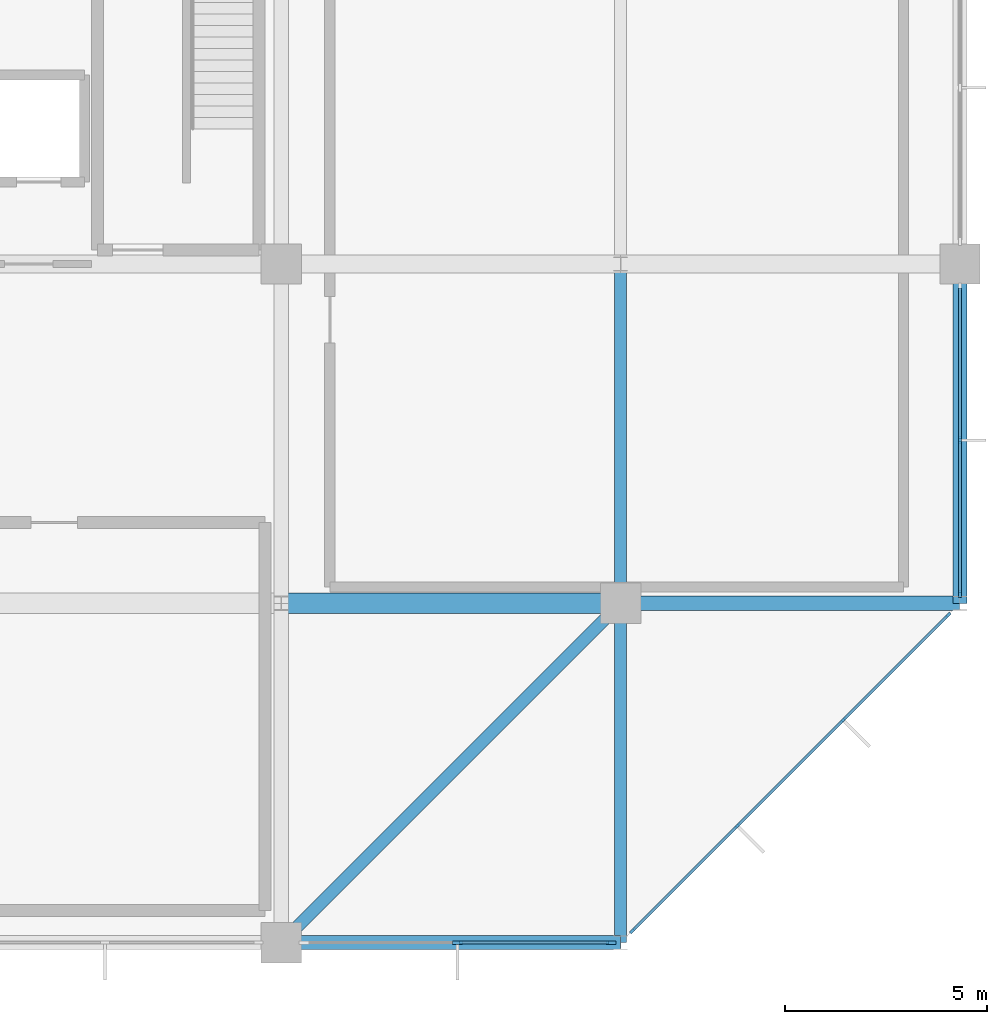
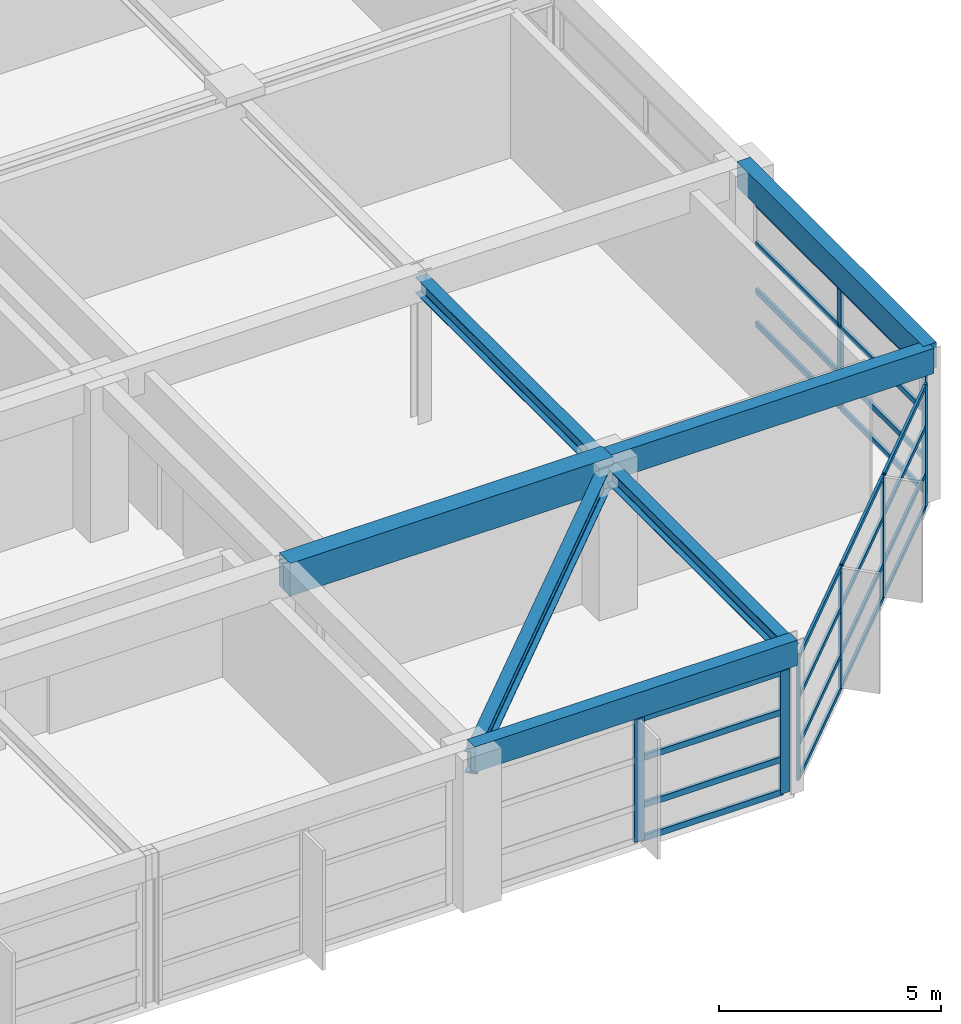
# One storey, part 20 of 32: 32 members, 7 beams, 3 elements without a shape of their own.
"""IFC4 building model written with IfcOpenShell, lengths in metres."""

from ifc_helpers import new_model, si_unit, direction, frame, origin, origin_2d, place, context, subcontext, project, spatial, rectangle, i_section, extrude, material, material_profile, profile_set, type_object, element, aggregate, save


model = new_model("IFC4")

# Units and contexts
model_context = context("Model", 3, precision=1e-05, world=origin(), true_north=direction((0.0, 1.0)))
body_context = subcontext(model_context, "Body", "Model", "MODEL_VIEW")
ifc_project = project(units=[si_unit("LENGTHUNIT", "METRE"), si_unit("AREAUNIT", "SQUARE_METRE"), si_unit("VOLUMEUNIT", "CUBIC_METRE"), si_unit("PLANEANGLEUNIT", "RADIAN"), si_unit("MASSUNIT", "GRAM", prefix="KILO")], contexts=[model_context])

# Site, building, storey
site_placement = place(None, origin())
site = spatial("IfcSite", under=ifc_project, at=site_placement, CompositionType="ELEMENT")
building_placement = place(site_placement, origin())
building = spatial("IfcBuilding", under=site, at=building_placement, Name="Xuanlan Plaza Opera House", CompositionType="ELEMENT")
storey_placement = place(building_placement, frame((0.0, 0.0, 40.5)))
storey = spatial("IfcBuildingStorey", under=building, at=storey_placement, Name="L09", CompositionType="ELEMENT", Elevation=40.5)

# Curtain wall, members
ifc_material_1 = material(Name="Anodised Aluminium 6063-T6 and Low-E Glass", Category="aluminium")
curtain_wall_type_1 = type_object("IfcCurtainWallType", Name="ENV-CW-CW-04", PredefinedType="USERDEFINED", material=ifc_material_1)
curtain_wall_1_placement = place(storey_placement, origin())
curtain_wall_1 = element("IfcCurtainWall", 1, at=curtain_wall_1_placement, inside=storey, type_object=curtain_wall_type_1, Name="Unitised Curtain Wall L09-005", ObjectType="UNITISED CURTAIN WALL", PredefinedType="USERDEFINED")
ifc_material_2 = material(Name="Anodised Aluminium 6063-T6", Category="aluminium")
ifc_material_profile_1 = material_profile(ifc_material_2, rectangle(XDim=0.06494140625, YDim=0.159912109375, at=origin_2d()), Name="ALU-M 65x160")
ifc_profile_set_1 = profile_set([ifc_material_profile_1], Name="Anodised Aluminium 6063-T6")
member_type_1 = type_object("IfcMemberType", Name="ENV-CWM-01", PredefinedType="MULLION", material=ifc_profile_set_1)
member_1_placement = place(storey_placement, frame((159.89697265625, 33.89697265625, 0.0), z_axis=(0.0, 0.0, 1.0), x_axis=(-0.707106781187, 0.707106781187, 0.0)))
member_1 = element("IfcMember", 2, at=member_1_placement, type_object=member_type_1, Name="CW-04 mullion 1", PredefinedType="MULLION", context=body_context, shape_type="SweptSolid", body=[
    extrude(rectangle(XDim=0.06494140625, YDim=0.159912109375, at=origin_2d()), origin(), (0.0, 0.0, 1.0), 3.3798828125),
])
member_2_placement = place(storey_placement, frame((162.491455078125, 36.491455078125, 0.0), z_axis=(0.0, 0.0, 1.0), x_axis=(-0.707106781187, 0.707106781187, 0.0)))
member_2 = element("IfcMember", 3, at=member_2_placement, type_object=member_type_1, Name="CW-04 mullion 2", PredefinedType="MULLION", context=body_context, shape_type="SweptSolid", body=[
    extrude(rectangle(XDim=0.06494140625, YDim=0.159912109375, at=origin_2d()), origin(), (0.0, 0.0, 1.0), 3.3798828125),
])
member_3_placement = place(storey_placement, frame((165.108642578125, 39.108642578125, 0.0), z_axis=(0.0, 0.0, 1.0), x_axis=(-0.707106781187, 0.707106781187, 0.0)))
member_3 = element("IfcMember", 4, at=member_3_placement, type_object=member_type_1, Name="CW-04 mullion 3", PredefinedType="MULLION", context=body_context, shape_type="SweptSolid", body=[
    extrude(rectangle(XDim=0.06494140625, YDim=0.159912109375, at=origin_2d()), origin(), (0.0, 0.0, 1.0), 3.3798828125),
])
member_4_placement = place(storey_placement, frame((167.703125, 41.703125, 0.0), z_axis=(0.0, 0.0, 1.0), x_axis=(-0.707106781187, 0.707106781187, 0.0)))
member_4 = element("IfcMember", 5, at=member_4_placement, type_object=member_type_1, Name="CW-04 mullion 4", PredefinedType="MULLION", context=body_context, shape_type="SweptSolid", body=[
    extrude(rectangle(XDim=0.06494140625, YDim=0.159912109375, at=origin_2d()), origin(), (0.0, 0.0, 1.0), 3.3798828125),
])

curtain_wall_type_2 = type_object("IfcCurtainWallType", Name="ENV-CW-CW-01", PredefinedType="USERDEFINED", material=ifc_material_1)
curtain_wall_2_placement = place(storey_placement, origin())
curtain_wall_2 = element("IfcCurtainWall", 6, at=curtain_wall_2_placement, inside=storey, type_object=curtain_wall_type_2, Name="Unitised Curtain Wall L09-006", ObjectType="UNITISED CURTAIN WALL", PredefinedType="USERDEFINED")
ifc_material_profile_2 = material_profile(ifc_material_2, rectangle(XDim=0.070068359375, YDim=0.179931640625, at=origin_2d()), Name="ALU-M 70x180")
ifc_profile_set_2 = profile_set([ifc_material_profile_2], Name="Anodised Aluminium 6063-T6")
member_type_2 = type_object("IfcMemberType", Name="ENV-CWM-02", PredefinedType="MULLION", material=ifc_profile_set_2)
member_5_placement = place(storey_placement, frame((168.0, 42.22998046875, 0.0), z_axis=(0.0, 0.0, 1.0), x_axis=(-1.0, 0.0, 0.0)))
member_5 = element("IfcMember", 7, at=member_5_placement, type_object=member_type_2, Name="CW-01 mullion 1", PredefinedType="MULLION", context=body_context, shape_type="SweptSolid", body=[
    extrude(rectangle(XDim=0.070068359375, YDim=0.179931640625, at=origin_2d()), origin(), (0.0, 0.0, 1.0), 3.3798828125),
])
member_6_placement = place(storey_placement, frame((168.0, 46.03759765625, 0.0), z_axis=(0.0, 0.0, 1.0), x_axis=(-1.0, 0.0, 0.0)))
member_6 = element("IfcMember", 8, at=member_6_placement, type_object=member_type_2, Name="CW-01 mullion 2", PredefinedType="MULLION", context=body_context, shape_type="SweptSolid", body=[
    extrude(rectangle(XDim=0.070068359375, YDim=0.179931640625, at=origin_2d()), origin(), (0.0, 0.0, 1.0), 3.3798828125),
])

curtain_wall_type_3 = type_object("IfcCurtainWallType", Name="ENV-CW-CW-03", PredefinedType="USERDEFINED", material=ifc_material_1)
curtain_wall_3_placement = place(storey_placement, origin())
curtain_wall_3 = element("IfcCurtainWall", 9, at=curtain_wall_3_placement, inside=storey, type_object=curtain_wall_type_3, Name="Unitised Curtain Wall L09-004", ObjectType="UNITISED CURTAIN WALL", PredefinedType="USERDEFINED")
ifc_material_profile_3 = material_profile(ifc_material_2, rectangle(XDim=0.090087890625, YDim=0.25, at=origin_2d()), Name="ALU-M 90x250")
ifc_profile_set_3 = profile_set([ifc_material_profile_3], Name="Anodised Aluminium 6063-T6")
member_type_3 = type_object("IfcMemberType", Name="ENV-CWM-05", PredefinedType="MULLION", material=ifc_profile_set_3)
member_7_placement = place(storey_placement, frame((155.5625, 33.60009765625, 0.0), z_axis=(0.0, 0.0, 1.0), x_axis=(0.0, 1.0, 0.0)))
member_7 = element("IfcMember", 10, at=member_7_placement, type_object=member_type_3, Name="CW-03 mullion 2", PredefinedType="MULLION", context=body_context, shape_type="SweptSolid", body=[
    extrude(rectangle(XDim=0.090087890625, YDim=0.25, at=origin_2d()), origin(), (0.0, 0.0, 1.0), 3.3798828125),
])
member_8_placement = place(storey_placement, frame((159.360107421875, 33.60009765625, 0.0), z_axis=(0.0, 0.0, 1.0), x_axis=(0.0, 1.0, 0.0)))
member_8 = element("IfcMember", 11, at=member_8_placement, type_object=member_type_3, Name="CW-03 mullion 3", PredefinedType="MULLION", context=body_context, shape_type="SweptSolid", body=[
    extrude(rectangle(XDim=0.090087890625, YDim=0.25, at=origin_2d()), origin(), (0.0, 0.0, 1.0), 3.3798828125),
])

# Member
ifc_material_profile_4 = material_profile(ifc_material_2, rectangle(XDim=0.06494140625, YDim=0.1201171875, at=origin_2d()), Name="ALU-T 65x120")
ifc_profile_set_4 = profile_set([ifc_material_profile_4], Name="Anodised Aluminium 6063-T6")
member_type_4 = type_object("IfcMemberType", Name="ENV-CWT-01", PredefinedType="USERDEFINED", material=ifc_profile_set_4)
member_9_placement = place(storey_placement, frame((159.919921875, 33.919921875, 0.032470703125), z_axis=(0.707106781187, 0.707106781187, 0.0), x_axis=(-0.707106781187, 0.707106781187, 0.0)))
member_9 = element("IfcMember", 12, at=member_9_placement, type_object=member_type_4, Name="CW-04 transom 1.1", ObjectType="TRANSOM", PredefinedType="USERDEFINED", context=body_context, shape_type="SweptSolid", body=[
    extrude(rectangle(XDim=0.06494140625, YDim=0.1201171875, at=origin_2d()), origin(), (0.0, 0.0, 1.0), 3.60400390625),
])

member_10_placement = place(storey_placement, frame((159.919921875, 33.919921875, 0.949951171875), z_axis=(0.707106781187, 0.707106781187, 0.0), x_axis=(-0.707106781187, 0.707106781187, 0.0)))
member_10 = element("IfcMember", 13, at=member_10_placement, type_object=member_type_4, Name="CW-04 transom 1.2", ObjectType="TRANSOM", PredefinedType="USERDEFINED", context=body_context, shape_type="SweptSolid", body=[
    extrude(rectangle(XDim=0.06494140625, YDim=0.1201171875, at=origin_2d()), origin(), (0.0, 0.0, 1.0), 3.60400390625),
])

member_11_placement = place(storey_placement, frame((159.919921875, 33.919921875, 2.25), z_axis=(0.707106781187, 0.707106781187, 0.0), x_axis=(-0.707106781187, 0.707106781187, 0.0)))
member_11 = element("IfcMember", 14, at=member_11_placement, type_object=member_type_4, Name="CW-04 transom 1.3", ObjectType="TRANSOM", PredefinedType="USERDEFINED", context=body_context, shape_type="SweptSolid", body=[
    extrude(rectangle(XDim=0.06494140625, YDim=0.1201171875, at=origin_2d()), origin(), (0.0, 0.0, 1.0), 3.60400390625),
])

member_12_placement = place(storey_placement, frame((159.919921875, 33.919921875, 3.347412109375), z_axis=(0.707106781187, 0.707106781187, 0.0), x_axis=(-0.707106781187, 0.707106781187, 0.0)))
member_12 = element("IfcMember", 15, at=member_12_placement, type_object=member_type_4, Name="CW-04 transom 1.4", ObjectType="TRANSOM", PredefinedType="USERDEFINED", context=body_context, shape_type="SweptSolid", body=[
    extrude(rectangle(XDim=0.06494140625, YDim=0.1201171875, at=origin_2d()), origin(), (0.0, 0.0, 1.0), 3.60400390625),
])

member_13_placement = place(storey_placement, frame((162.514404296875, 36.514404296875, 0.032470703125), z_axis=(0.707106781187, 0.707106781187, 0.0), x_axis=(-0.707106781187, 0.707106781187, 0.0)))
member_13 = element("IfcMember", 16, at=member_13_placement, type_object=member_type_4, Name="CW-04 transom 2.1", ObjectType="TRANSOM", PredefinedType="USERDEFINED", context=body_context, shape_type="SweptSolid", body=[
    extrude(rectangle(XDim=0.06494140625, YDim=0.1201171875, at=origin_2d()), origin(), (0.0, 0.0, 1.0), 3.63623046875),
])

member_14_placement = place(storey_placement, frame((162.514404296875, 36.514404296875, 0.949951171875), z_axis=(0.707106781187, 0.707106781187, 0.0), x_axis=(-0.707106781187, 0.707106781187, 0.0)))
member_14 = element("IfcMember", 17, at=member_14_placement, type_object=member_type_4, Name="CW-04 transom 2.2", ObjectType="TRANSOM", PredefinedType="USERDEFINED", context=body_context, shape_type="SweptSolid", body=[
    extrude(rectangle(XDim=0.06494140625, YDim=0.1201171875, at=origin_2d()), origin(), (0.0, 0.0, 1.0), 3.63623046875),
])

member_15_placement = place(storey_placement, frame((162.514404296875, 36.514404296875, 2.25), z_axis=(0.707106781187, 0.707106781187, 0.0), x_axis=(-0.707106781187, 0.707106781187, 0.0)))
member_15 = element("IfcMember", 18, at=member_15_placement, type_object=member_type_4, Name="CW-04 transom 2.3", ObjectType="TRANSOM", PredefinedType="USERDEFINED", context=body_context, shape_type="SweptSolid", body=[
    extrude(rectangle(XDim=0.06494140625, YDim=0.1201171875, at=origin_2d()), origin(), (0.0, 0.0, 1.0), 3.63623046875),
])

member_16_placement = place(storey_placement, frame((162.514404296875, 36.514404296875, 3.347412109375), z_axis=(0.707106781187, 0.707106781187, 0.0), x_axis=(-0.707106781187, 0.707106781187, 0.0)))
member_16 = element("IfcMember", 19, at=member_16_placement, type_object=member_type_4, Name="CW-04 transom 2.4", ObjectType="TRANSOM", PredefinedType="USERDEFINED", context=body_context, shape_type="SweptSolid", body=[
    extrude(rectangle(XDim=0.06494140625, YDim=0.1201171875, at=origin_2d()), origin(), (0.0, 0.0, 1.0), 3.63623046875),
])

member_17_placement = place(storey_placement, frame((165.131591796875, 39.131591796875, 0.032470703125), z_axis=(0.707106781187, 0.707106781187, 0.0), x_axis=(-0.707106781187, 0.707106781187, 0.0)))
member_17 = element("IfcMember", 20, at=member_17_placement, type_object=member_type_4, Name="CW-04 transom 3.1", ObjectType="TRANSOM", PredefinedType="USERDEFINED", context=body_context, shape_type="SweptSolid", body=[
    extrude(rectangle(XDim=0.06494140625, YDim=0.1201171875, at=origin_2d()), origin(), (0.0, 0.0, 1.0), 3.60400390625),
])

member_18_placement = place(storey_placement, frame((165.131591796875, 39.131591796875, 0.949951171875), z_axis=(0.707106781187, 0.707106781187, 0.0), x_axis=(-0.707106781187, 0.707106781187, 0.0)))
member_18 = element("IfcMember", 21, at=member_18_placement, type_object=member_type_4, Name="CW-04 transom 3.2", ObjectType="TRANSOM", PredefinedType="USERDEFINED", context=body_context, shape_type="SweptSolid", body=[
    extrude(rectangle(XDim=0.06494140625, YDim=0.1201171875, at=origin_2d()), origin(), (0.0, 0.0, 1.0), 3.60400390625),
])

member_19_placement = place(storey_placement, frame((165.131591796875, 39.131591796875, 2.25), z_axis=(0.707106781187, 0.707106781187, 0.0), x_axis=(-0.707106781187, 0.707106781187, 0.0)))
member_19 = element("IfcMember", 22, at=member_19_placement, type_object=member_type_4, Name="CW-04 transom 3.3", ObjectType="TRANSOM", PredefinedType="USERDEFINED", context=body_context, shape_type="SweptSolid", body=[
    extrude(rectangle(XDim=0.06494140625, YDim=0.1201171875, at=origin_2d()), origin(), (0.0, 0.0, 1.0), 3.60400390625),
])

member_20_placement = place(storey_placement, frame((165.131591796875, 39.131591796875, 3.347412109375), z_axis=(0.707106781187, 0.707106781187, 0.0), x_axis=(-0.707106781187, 0.707106781187, 0.0)))
member_20 = element("IfcMember", 23, at=member_20_placement, type_object=member_type_4, Name="CW-04 transom 3.4", ObjectType="TRANSOM", PredefinedType="USERDEFINED", context=body_context, shape_type="SweptSolid", body=[
    extrude(rectangle(XDim=0.06494140625, YDim=0.1201171875, at=origin_2d()), origin(), (0.0, 0.0, 1.0), 3.60400390625),
])

aggregate(curtain_wall_1, [member_1, member_2, member_3, member_4, member_9, member_10, member_11, member_12, member_13, member_14, member_15, member_16, member_17, member_18, member_19, member_20])

ifc_material_profile_5 = material_profile(ifc_material_2, rectangle(XDim=0.074951171875, YDim=0.14990234375, at=origin_2d()), Name="ALU-T 75x150")
ifc_profile_set_5 = profile_set([ifc_material_profile_5], Name="Anodised Aluminium 6063-T6")
member_type_5 = type_object("IfcMemberType", Name="ENV-CWT-03", PredefinedType="USERDEFINED", material=ifc_profile_set_5)
member_21_placement = place(storey_placement, frame((168.0, 42.264892578125, 0.03759765625), z_axis=(0.0, 1.0, 0.0), x_axis=(-1.0, 0.0, 0.0)))
member_21 = element("IfcMember", 24, at=member_21_placement, type_object=member_type_5, Name="CW-01 transom 1.1", ObjectType="TRANSOM", PredefinedType="USERDEFINED", context=body_context, shape_type="SweptSolid", body=[
    extrude(rectangle(XDim=0.074951171875, YDim=0.14990234375, at=origin_2d()), origin(), (0.0, 0.0, 1.0), 3.737548828125),
])

member_22_placement = place(storey_placement, frame((168.0, 42.264892578125, 0.949951171875), z_axis=(0.0, 1.0, 0.0), x_axis=(-1.0, 0.0, 0.0)))
member_22 = element("IfcMember", 25, at=member_22_placement, type_object=member_type_5, Name="CW-01 transom 1.2", ObjectType="TRANSOM", PredefinedType="USERDEFINED", context=body_context, shape_type="SweptSolid", body=[
    extrude(rectangle(XDim=0.074951171875, YDim=0.14990234375, at=origin_2d()), origin(), (0.0, 0.0, 1.0), 3.737548828125),
])

member_23_placement = place(storey_placement, frame((168.0, 42.264892578125, 2.25), z_axis=(0.0, 1.0, 0.0), x_axis=(-1.0, 0.0, 0.0)))
member_23 = element("IfcMember", 26, at=member_23_placement, type_object=member_type_5, Name="CW-01 transom 1.3", ObjectType="TRANSOM", PredefinedType="USERDEFINED", context=body_context, shape_type="SweptSolid", body=[
    extrude(rectangle(XDim=0.074951171875, YDim=0.14990234375, at=origin_2d()), origin(), (0.0, 0.0, 1.0), 3.737548828125),
])

member_24_placement = place(storey_placement, frame((168.0, 42.264892578125, 3.342529296875), z_axis=(0.0, 1.0, 0.0), x_axis=(-1.0, 0.0, 0.0)))
member_24 = element("IfcMember", 27, at=member_24_placement, type_object=member_type_5, Name="CW-01 transom 1.4", ObjectType="TRANSOM", PredefinedType="USERDEFINED", context=body_context, shape_type="SweptSolid", body=[
    extrude(rectangle(XDim=0.074951171875, YDim=0.14990234375, at=origin_2d()), origin(), (0.0, 0.0, 1.0), 3.737548828125),
])

member_25_placement = place(storey_placement, frame((168.0, 46.072509765625, 0.03759765625), z_axis=(0.0, 1.0, 0.0), x_axis=(-1.0, 0.0, 0.0)))
member_25 = element("IfcMember", 28, at=member_25_placement, type_object=member_type_5, Name="CW-01 transom 2.1", ObjectType="TRANSOM", PredefinedType="USERDEFINED", context=body_context, shape_type="SweptSolid", body=[
    extrude(rectangle(XDim=0.074951171875, YDim=0.14990234375, at=origin_2d()), origin(), (0.0, 0.0, 1.0), 3.737548828125),
])

member_26_placement = place(storey_placement, frame((168.0, 46.072509765625, 0.949951171875), z_axis=(0.0, 1.0, 0.0), x_axis=(-1.0, 0.0, 0.0)))
member_26 = element("IfcMember", 29, at=member_26_placement, type_object=member_type_5, Name="CW-01 transom 2.2", ObjectType="TRANSOM", PredefinedType="USERDEFINED", context=body_context, shape_type="SweptSolid", body=[
    extrude(rectangle(XDim=0.074951171875, YDim=0.14990234375, at=origin_2d()), origin(), (0.0, 0.0, 1.0), 3.737548828125),
])

member_27_placement = place(storey_placement, frame((168.0, 46.072509765625, 2.25), z_axis=(0.0, 1.0, 0.0), x_axis=(-1.0, 0.0, 0.0)))
member_27 = element("IfcMember", 30, at=member_27_placement, type_object=member_type_5, Name="CW-01 transom 2.3", ObjectType="TRANSOM", PredefinedType="USERDEFINED", context=body_context, shape_type="SweptSolid", body=[
    extrude(rectangle(XDim=0.074951171875, YDim=0.14990234375, at=origin_2d()), origin(), (0.0, 0.0, 1.0), 3.737548828125),
])

member_28_placement = place(storey_placement, frame((168.0, 46.072509765625, 3.342529296875), z_axis=(0.0, 1.0, 0.0), x_axis=(-1.0, 0.0, 0.0)))
member_28 = element("IfcMember", 31, at=member_28_placement, type_object=member_type_5, Name="CW-01 transom 2.4", ObjectType="TRANSOM", PredefinedType="USERDEFINED", context=body_context, shape_type="SweptSolid", body=[
    extrude(rectangle(XDim=0.074951171875, YDim=0.14990234375, at=origin_2d()), origin(), (0.0, 0.0, 1.0), 3.737548828125),
])

aggregate(curtain_wall_2, [member_5, member_6, member_21, member_22, member_23, member_24, member_25, member_26, member_27, member_28])

ifc_material_profile_6 = material_profile(ifc_material_2, rectangle(XDim=0.080078125, YDim=0.1650390625, at=origin_2d()), Name="ALU-T 80x165")
ifc_profile_set_6 = profile_set([ifc_material_profile_6], Name="Anodised Aluminium 6063-T6")
member_type_6 = type_object("IfcMemberType", Name="ENV-CWT-04", PredefinedType="USERDEFINED", material=ifc_profile_set_6)
member_29_placement = place(storey_placement, frame((155.607421875, 33.60009765625, 0.0400390625), z_axis=(1.0, 0.0, 0.0), x_axis=(0.0, 1.0, 0.0)))
member_29 = element("IfcMember", 32, at=member_29_placement, type_object=member_type_6, Name="CW-03 transom 2.1", ObjectType="TRANSOM", PredefinedType="USERDEFINED", context=body_context, shape_type="SweptSolid", body=[
    extrude(rectangle(XDim=0.080078125, YDim=0.1650390625, at=origin_2d()), origin(), (0.0, 0.0, 1.0), 3.70751953125),
])

member_30_placement = place(storey_placement, frame((155.607421875, 33.60009765625, 0.949951171875), z_axis=(1.0, 0.0, 0.0), x_axis=(0.0, 1.0, 0.0)))
member_30 = element("IfcMember", 33, at=member_30_placement, type_object=member_type_6, Name="CW-03 transom 2.2", ObjectType="TRANSOM", PredefinedType="USERDEFINED", context=body_context, shape_type="SweptSolid", body=[
    extrude(rectangle(XDim=0.080078125, YDim=0.1650390625, at=origin_2d()), origin(), (0.0, 0.0, 1.0), 3.70751953125),
])

member_31_placement = place(storey_placement, frame((155.607421875, 33.60009765625, 2.25), z_axis=(1.0, 0.0, 0.0), x_axis=(0.0, 1.0, 0.0)))
member_31 = element("IfcMember", 34, at=member_31_placement, type_object=member_type_6, Name="CW-03 transom 2.3", ObjectType="TRANSOM", PredefinedType="USERDEFINED", context=body_context, shape_type="SweptSolid", body=[
    extrude(rectangle(XDim=0.080078125, YDim=0.1650390625, at=origin_2d()), origin(), (0.0, 0.0, 1.0), 3.70751953125),
])

member_32_placement = place(storey_placement, frame((155.607421875, 33.60009765625, 3.340087890625), z_axis=(1.0, 0.0, 0.0), x_axis=(0.0, 1.0, 0.0)))
member_32 = element("IfcMember", 35, at=member_32_placement, type_object=member_type_6, Name="CW-03 transom 2.4", ObjectType="TRANSOM", PredefinedType="USERDEFINED", context=body_context, shape_type="SweptSolid", body=[
    extrude(rectangle(XDim=0.080078125, YDim=0.1650390625, at=origin_2d()), origin(), (0.0, 0.0, 1.0), 3.70751953125),
])

aggregate(curtain_wall_3, [member_7, member_8, member_29, member_30, member_31, member_32])

# Beams
ifc_material_3 = material(Name="Concrete C40", Category="concrete")
ifc_material_profile_7 = material_profile(ifc_material_3, rectangle(XDim=0.5, YDim=0.89990234375, at=origin_2d()), Name="RC-BM 500x900")
ifc_profile_set_7 = profile_set([ifc_material_profile_7], Name="Concrete C40")
beam_type_1 = type_object("IfcBeamType", Name="STR-BM-B-03", PredefinedType="BEAM", material=ifc_profile_set_7)
beam_1_placement = place(storey_placement, frame((151.199951171875, 42.0, 3.75), z_axis=(1.0, 0.0, 0.0), x_axis=(0.0, 1.0, 0.0)))
element("IfcBeam", 36, at=beam_1_placement, inside=storey, type_object=beam_type_1, Name="Grid Beam X L09 19-20/F", PredefinedType="BEAM", context=body_context, shape_type="SweptSolid", body=[
    extrude(rectangle(XDim=0.5, YDim=0.89990234375, at=origin_2d()), origin(), (0.0, 0.0, 1.0), 8.400146484375),
])
ifc_material_4 = material(Name="Steel Q355B", Category="steel")
ifc_material_profile_8 = material_profile(ifc_material_4, i_section(OverallWidth=0.300048828125, OverallDepth=0.43994140625, WebThickness=0.010986328125, FlangeThickness=0.01806640625, FilletRadius=0.02001953125, at=origin_2d()), Name="HM 440x300x11x18")
ifc_profile_set_8 = profile_set([ifc_material_profile_8], Name="Steel Q355B")
beam_type_2 = type_object("IfcBeamType", Name="STR-BM-SB-08", PredefinedType="BEAM", material=ifc_profile_set_8)
for number, where, z_axis, x_axis, name in (
    (37, (159.60009765625, 33.60009765625, 3.735107421875), (0.0, 1.0, 0.0), (-1.0, 0.0, 0.0), "Grid Beam Y L09 20/E-F"),
    (38, (159.60009765625, 42.0, 3.735107421875), (0.0, 1.0, 0.0), (-1.0, 0.0, 0.0), "Grid Beam Y L09 20/F-G"),
):
    element("IfcBeam", number, at=place(storey_placement, frame(where, z_axis=z_axis, x_axis=x_axis)), inside=storey, type_object=beam_type_2, Name=name, PredefinedType="BEAM", context=body_context, shape_type="SweptSolid", body=[
        extrude(i_section(OverallWidth=0.300048828125, OverallDepth=0.43994140625, WebThickness=0.010986328125, FlangeThickness=0.01806640625, FilletRadius=0.02001953125, at=origin_2d()), origin(), (0.0, 0.0, 1.0), 8.39990234375),
    ])
ifc_material_profile_9 = material_profile(ifc_material_3, rectangle(XDim=0.35009765625, YDim=0.699951171875, at=origin_2d()), Name="RC-SPD 350x700")
ifc_profile_set_9 = profile_set([ifc_material_profile_9], Name="Concrete C40")
beam_type_3 = type_object("IfcBeamType", Name="STR-BM-SP-02", PredefinedType="SPANDREL", material=ifc_profile_set_9)
beam_2_placement = place(storey_placement, frame((151.199951171875, 33.60009765625, 3.85009765625), z_axis=(1.0, 0.0, 0.0), x_axis=(0.0, 1.0, 0.0)))
element("IfcBeam", 39, at=beam_2_placement, inside=storey, type_object=beam_type_3, Name="Grid Beam X L09 19-20/E", PredefinedType="SPANDREL", context=body_context, shape_type="SweptSolid", body=[
    extrude(rectangle(XDim=0.35009765625, YDim=0.699951171875, at=origin_2d()), origin(), (0.0, 0.0, 1.0), 8.400146484375),
])
for number, where, z_axis, x_axis, name in (
    (40, (159.60009765625, 42.0, 3.85009765625), (1.0, 0.0, 0.0), (0.0, 1.0, 0.0), "Grid Beam X L09 20-21/F"),
    (41, (168.0, 42.0, 3.85009765625), (0.0, 1.0, 0.0), (-1.0, 0.0, 0.0), "Grid Beam Y L09 21/F-G"),
):
    element("IfcBeam", number, at=place(storey_placement, frame(where, z_axis=z_axis, x_axis=x_axis)), inside=storey, type_object=beam_type_3, Name=name, PredefinedType="SPANDREL", context=body_context, shape_type="SweptSolid", body=[
        extrude(rectangle(XDim=0.35009765625, YDim=0.699951171875, at=origin_2d()), origin(), (0.0, 0.0, 1.0), 8.39990234375),
    ])
ifc_material_profile_10 = material_profile(ifc_material_4, i_section(OverallWidth=0.300048828125, OverallDepth=0.587890625, WebThickness=0.011962890625, FlangeThickness=0.02001953125, FilletRadius=0.02392578125, at=origin_2d()), Name="HM 588x300x12x20")
ifc_profile_set_10 = profile_set([ifc_material_profile_10], Name="Steel Q355B")
beam_type_4 = type_object("IfcBeamType", Name="STR-BM-SP-03", PredefinedType="SPANDREL", material=ifc_profile_set_10)
beam_3_placement = place(storey_placement, frame((159.60009765625, 42.0, 3.660888671875), z_axis=(-0.707117056885, -0.707096505339, 0.0), x_axis=(0.707096505339, -0.707117056885, 0.0)))
element("IfcBeam", 42, at=beam_3_placement, inside=storey, type_object=beam_type_4, Name="Faceted Edge Spandrel L09 CH02", PredefinedType="SPANDREL", context=body_context, shape_type="SweptSolid", body=[
    extrude(i_section(OverallWidth=0.300048828125, OverallDepth=0.587890625, WebThickness=0.011962890625, FlangeThickness=0.02001953125, FilletRadius=0.02392578125, at=origin_2d()), origin(), (0.0, 0.0, 1.0), 11.87939453125),
])

save(model, "model.ifc")
